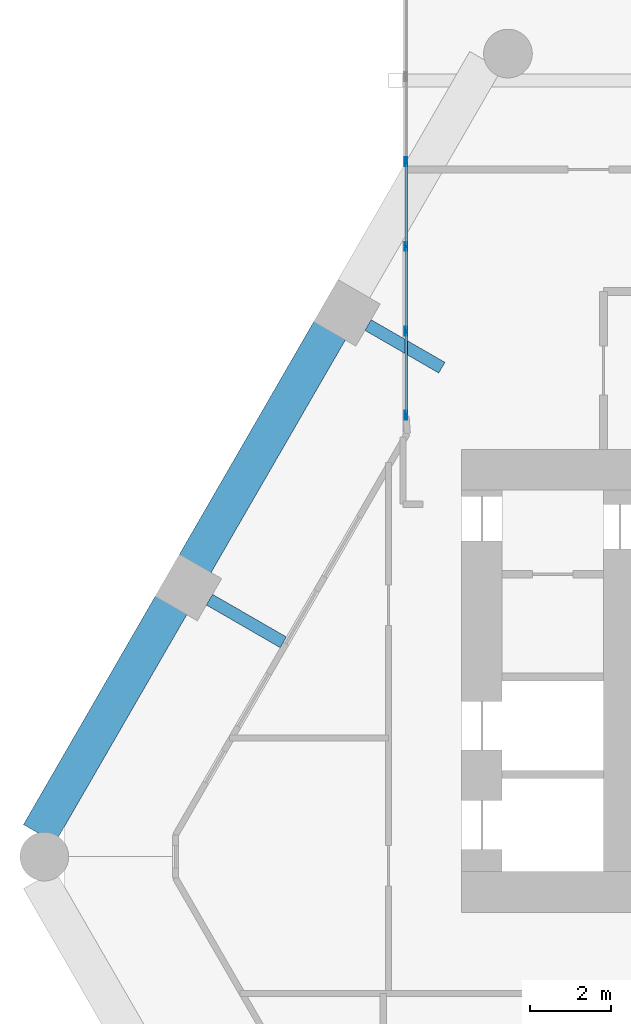
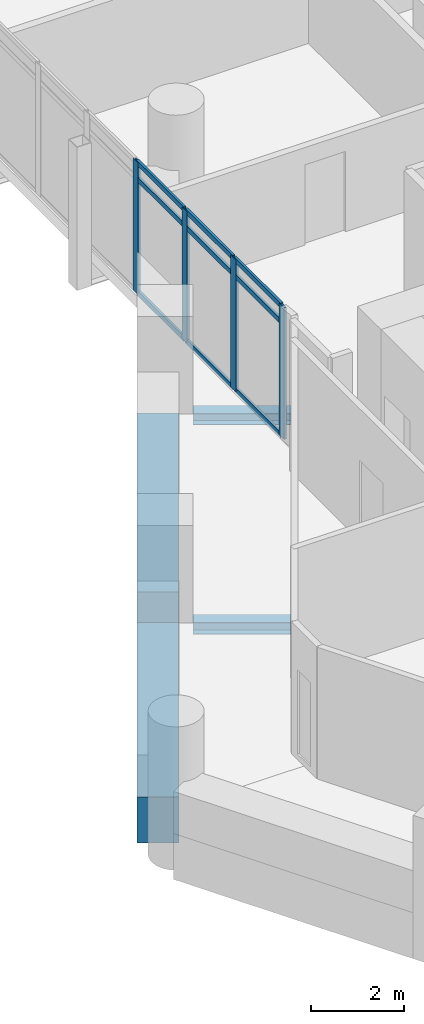
# One storey, part 12 of 28: 13 members, 4 beams, 1 element without a shape of its own.
"""IFC4 building model written with IfcOpenShell, lengths in metres."""

from ifc_helpers import new_model, si_unit, direction, frame, origin, origin_2d, place, context, subcontext, project, spatial, rectangle, hollow_rectangle, i_section, extrude, material, material_profile, profile_set, type_object, element, aggregate, save


model = new_model("IFC4")

# Units and contexts
model_context = context("Model", 3, precision=1e-05, world=origin(), true_north=direction((0.0, 1.0)))
body_context = subcontext(model_context, "Body", "Model", "MODEL_VIEW")
ifc_project = project(units=[si_unit("LENGTHUNIT", "METRE"), si_unit("AREAUNIT", "SQUARE_METRE"), si_unit("VOLUMEUNIT", "CUBIC_METRE"), si_unit("PLANEANGLEUNIT", "RADIAN"), si_unit("MASSUNIT", "GRAM", prefix="KILO")], contexts=[model_context])

# Site, building, storey
site_placement = place(None, origin())
site = spatial("IfcSite", under=ifc_project, at=site_placement, CompositionType="ELEMENT")
building_placement = place(site_placement, origin())
building = spatial("IfcBuilding", under=site, at=building_placement, Name="Ostrander Bayou Hotel Tower", CompositionType="ELEMENT")
storey_placement = place(building_placement, frame((0.0, 0.0, 100.5)))
storey = spatial("IfcBuildingStorey", under=building, at=storey_placement, Name="L25", CompositionType="ELEMENT", Elevation=100.5)

# Curtain wall, members
ifc_material_1 = material(Name="Aluminium and clear glass", Category="aluminium")
curtain_wall_type = type_object("IfcCurtainWallType", Name="CW-BAR glazed wall", PredefinedType="NOTDEFINED", material=ifc_material_1)
curtain_wall_placement = place(storey_placement, origin())
curtain_wall = element("IfcCurtainWall", 1, at=curtain_wall_placement, inside=storey, type_object=curtain_wall_type, Name="CW-BAR L25:SB2N:E", PredefinedType="NOTDEFINED")
ifc_material_2 = material(Name="Aluminium", Category="aluminium")
ifc_material_profile_1 = material_profile(ifc_material_2, hollow_rectangle(XDim=0.06005859375, YDim=0.219970703125, WallThickness=0.00390625, at=origin_2d()))
ifc_profile_set_1 = profile_set([ifc_material_profile_1], Name="Aluminium")
member_type_1 = type_object("IfcMemberType", Name="CW-BR mullion 60 x 220 mm", PredefinedType="MULLION", material=ifc_profile_set_1)
member_1_placement = place(storey_placement, frame((-13.3671875, 10.550048828125, 0.0), z_axis=(0.0, 0.0, 1.0), x_axis=(-1.0, 0.0, 0.0)))
member_1 = element("IfcMember", 2, at=member_1_placement, type_object=member_type_1, Name="CW-BAR mullion 1", PredefinedType="MULLION", context=body_context, shape_type="SweptSolid", body=[
    extrude(hollow_rectangle(XDim=0.06005859375, YDim=0.219970703125, WallThickness=0.00390625, at=origin_2d()), origin(), (0.0, 0.0, 1.0), 3.449951171875),
])
member_2_placement = place(storey_placement, frame((-13.3671875, 12.612548828125, 0.0), z_axis=(0.0, 0.0, 1.0), x_axis=(-1.0, 0.0, 0.0)))
member_2 = element("IfcMember", 3, at=member_2_placement, type_object=member_type_1, Name="CW-BAR mullion 2", PredefinedType="MULLION", context=body_context, shape_type="SweptSolid", body=[
    extrude(hollow_rectangle(XDim=0.06005859375, YDim=0.219970703125, WallThickness=0.00390625, at=origin_2d()), origin(), (0.0, 0.0, 1.0), 3.449951171875),
])
member_3_placement = place(storey_placement, frame((-13.3671875, 14.705078125, 0.0), z_axis=(0.0, 0.0, 1.0), x_axis=(-1.0, 0.0, 0.0)))
member_3 = element("IfcMember", 4, at=member_3_placement, type_object=member_type_1, Name="CW-BAR mullion 3", PredefinedType="MULLION", context=body_context, shape_type="SweptSolid", body=[
    extrude(hollow_rectangle(XDim=0.06005859375, YDim=0.219970703125, WallThickness=0.00390625, at=origin_2d()), origin(), (0.0, 0.0, 1.0), 3.449951171875),
])
member_4_placement = place(storey_placement, frame((-13.3671875, 16.797607421875, 0.0), z_axis=(0.0, 0.0, 1.0), x_axis=(-1.0, 0.0, 0.0)))
member_4 = element("IfcMember", 5, at=member_4_placement, type_object=member_type_1, Name="CW-BAR mullion 4", PredefinedType="MULLION", context=body_context, shape_type="SweptSolid", body=[
    extrude(hollow_rectangle(XDim=0.06005859375, YDim=0.219970703125, WallThickness=0.00390625, at=origin_2d()), origin(), (0.0, 0.0, 1.0), 3.449951171875),
])
ifc_material_3 = material(Name="Aluminium", Category="aluminium")
ifc_material_profile_2 = material_profile(ifc_material_3, hollow_rectangle(XDim=0.06005859375, YDim=0.1298828125, WallThickness=0.00390625, at=origin_2d()))
ifc_profile_set_2 = profile_set([ifc_material_profile_2], Name="Aluminium")
member_type_2 = type_object("IfcMemberType", Name="CW-BR transom 60 x 130 mm", PredefinedType="USERDEFINED", material=ifc_profile_set_2)
member_5_placement = place(storey_placement, frame((-13.3671875, 10.580078125, 0.030029296875), z_axis=(0.0, 1.0, 0.0), x_axis=(-1.0, 0.0, 0.0)))
member_5 = element("IfcMember", 6, at=member_5_placement, type_object=member_type_2, Name="CW-BAR transom 1.1", ObjectType="TRANSOM", PredefinedType="USERDEFINED", context=body_context, shape_type="SweptSolid", body=[
    extrude(hollow_rectangle(XDim=0.06005859375, YDim=0.1298828125, WallThickness=0.00390625, at=origin_2d()), origin(), (0.0, 0.0, 1.0), 2.00244140625),
])
member_6_placement = place(storey_placement, frame((-13.3671875, 10.580078125, 3.0), z_axis=(0.0, 1.0, 0.0), x_axis=(-1.0, 0.0, 0.0)))
member_6 = element("IfcMember", 7, at=member_6_placement, type_object=member_type_2, Name="CW-BAR transom 1.2", ObjectType="TRANSOM", PredefinedType="USERDEFINED", context=body_context, shape_type="SweptSolid", body=[
    extrude(hollow_rectangle(XDim=0.06005859375, YDim=0.1298828125, WallThickness=0.00390625, at=origin_2d()), origin(), (0.0, 0.0, 1.0), 2.00244140625),
])
member_7_placement = place(storey_placement, frame((-13.3671875, 10.580078125, 3.419921875), z_axis=(0.0, 1.0, 0.0), x_axis=(-1.0, 0.0, 0.0)))
member_7 = element("IfcMember", 8, at=member_7_placement, type_object=member_type_2, Name="CW-BAR transom 1.3", ObjectType="TRANSOM", PredefinedType="USERDEFINED", context=body_context, shape_type="SweptSolid", body=[
    extrude(hollow_rectangle(XDim=0.06005859375, YDim=0.1298828125, WallThickness=0.00390625, at=origin_2d()), origin(), (0.0, 0.0, 1.0), 2.00244140625),
])
member_8_placement = place(storey_placement, frame((-13.3671875, 12.642578125, 0.030029296875), z_axis=(0.0, 1.0, 0.0), x_axis=(-1.0, 0.0, 0.0)))
member_8 = element("IfcMember", 9, at=member_8_placement, type_object=member_type_2, Name="CW-BAR transom 2.1", ObjectType="TRANSOM", PredefinedType="USERDEFINED", context=body_context, shape_type="SweptSolid", body=[
    extrude(hollow_rectangle(XDim=0.06005859375, YDim=0.1298828125, WallThickness=0.00390625, at=origin_2d()), origin(), (0.0, 0.0, 1.0), 2.032470703125),
])
member_9_placement = place(storey_placement, frame((-13.3671875, 12.642578125, 3.0), z_axis=(0.0, 1.0, 0.0), x_axis=(-1.0, 0.0, 0.0)))
member_9 = element("IfcMember", 10, at=member_9_placement, type_object=member_type_2, Name="CW-BAR transom 2.2", ObjectType="TRANSOM", PredefinedType="USERDEFINED", context=body_context, shape_type="SweptSolid", body=[
    extrude(hollow_rectangle(XDim=0.06005859375, YDim=0.1298828125, WallThickness=0.00390625, at=origin_2d()), origin(), (0.0, 0.0, 1.0), 2.032470703125),
])
member_10_placement = place(storey_placement, frame((-13.3671875, 12.642578125, 3.419921875), z_axis=(0.0, 1.0, 0.0), x_axis=(-1.0, 0.0, 0.0)))
member_10 = element("IfcMember", 11, at=member_10_placement, type_object=member_type_2, Name="CW-BAR transom 2.3", ObjectType="TRANSOM", PredefinedType="USERDEFINED", context=body_context, shape_type="SweptSolid", body=[
    extrude(hollow_rectangle(XDim=0.06005859375, YDim=0.1298828125, WallThickness=0.00390625, at=origin_2d()), origin(), (0.0, 0.0, 1.0), 2.032470703125),
])
member_11_placement = place(storey_placement, frame((-13.3671875, 14.735107421875, 0.030029296875), z_axis=(0.0, 1.0, 0.0), x_axis=(-1.0, 0.0, 0.0)))
member_11 = element("IfcMember", 12, at=member_11_placement, type_object=member_type_2, Name="CW-BAR transom 3.1", ObjectType="TRANSOM", PredefinedType="USERDEFINED", context=body_context, shape_type="SweptSolid", body=[
    extrude(hollow_rectangle(XDim=0.06005859375, YDim=0.1298828125, WallThickness=0.00390625, at=origin_2d()), origin(), (0.0, 0.0, 1.0), 2.032470703125),
])
member_12_placement = place(storey_placement, frame((-13.3671875, 14.735107421875, 3.0), z_axis=(0.0, 1.0, 0.0), x_axis=(-1.0, 0.0, 0.0)))
member_12 = element("IfcMember", 13, at=member_12_placement, type_object=member_type_2, Name="CW-BAR transom 3.2", ObjectType="TRANSOM", PredefinedType="USERDEFINED", context=body_context, shape_type="SweptSolid", body=[
    extrude(hollow_rectangle(XDim=0.06005859375, YDim=0.1298828125, WallThickness=0.00390625, at=origin_2d()), origin(), (0.0, 0.0, 1.0), 2.032470703125),
])
member_13_placement = place(storey_placement, frame((-13.3671875, 14.735107421875, 3.419921875), z_axis=(0.0, 1.0, 0.0), x_axis=(-1.0, 0.0, 0.0)))
member_13 = element("IfcMember", 14, at=member_13_placement, type_object=member_type_2, Name="CW-BAR transom 3.3", ObjectType="TRANSOM", PredefinedType="USERDEFINED", context=body_context, shape_type="SweptSolid", body=[
    extrude(hollow_rectangle(XDim=0.06005859375, YDim=0.1298828125, WallThickness=0.00390625, at=origin_2d()), origin(), (0.0, 0.0, 1.0), 2.032470703125),
])
aggregate(curtain_wall, [member_1, member_2, member_3, member_4, member_5, member_6, member_7, member_8, member_9, member_10, member_11, member_12, member_13])

# Beams
ifc_material_4 = material(Name="Steel ASTM A992", Category="steel")
ifc_material_profile_3 = material_profile(ifc_material_4, i_section(OverallWidth=0.3046875, OverallDepth=0.307861328125, WebThickness=0.010009765625, FlangeThickness=0.015380859375, at=origin_2d()))
ifc_profile_set_3 = profile_set([ifc_material_profile_3], Name="Steel ASTM A992")
beam_type_1 = type_object("IfcBeamType", Name="LB1 loggia bracket W12x65", PredefinedType="BEAM", material=ifc_profile_set_3)
for number, where, z_axis, x_axis, name in (
    (15, (-14.30419921875, 12.769775390625, -0.453857421875), (0.866009402589, -0.500027713859, 0.0), (0.500027713859, 0.866009402589, 0.0), "LB1 L25 NW1"),
    (16, (-18.2109375, 6.0029296875, -0.453857421875), (0.866009402589, -0.500027713859, 0.0), (0.500027713859, 0.866009402589, 0.0), "LB1 L25 NW2"),
):
    element("IfcBeam", number, at=place(storey_placement, frame(where, z_axis=z_axis, x_axis=x_axis)), inside=storey, type_object=beam_type_1, Name=name, PredefinedType="BEAM", context=body_context, shape_type="SweptSolid", body=[
        extrude(i_section(OverallWidth=0.3046875, OverallDepth=0.307861328125, WebThickness=0.010009765625, FlangeThickness=0.015380859375, at=origin_2d()), origin(), (0.0, 0.0, 1.0), 2.10009765625),
    ])
ifc_material_5 = material(Name="Concrete f'c 70 MPa", Category="concrete")
ifc_material_profile_4 = material_profile(ifc_material_5, rectangle(XDim=0.89990234375, YDim=1.199951171875, at=origin_2d()))
ifc_profile_set_4 = profile_set([ifc_material_profile_4], Name="Concrete f'c 70 MPa")
beam_type_2 = type_object("IfcBeamType", Name="SP2 spandrel beam 900 x 1200 mm f'c 70 MPa", PredefinedType="SPANDREL", material=ifc_profile_set_4)
beam_1_placement = place(storey_placement, frame((-15.23876953125, 12.65087890625, -0.60009765625), z_axis=(-0.499999023957, -0.866025967302, 0.0), x_axis=(0.866025967302, -0.499999023957, 0.0)))
element("IfcBeam", 17, at=beam_1_placement, inside=storey, type_object=beam_type_2, Name="SP2 L25 NW-2", PredefinedType="SPANDREL", context=body_context, shape_type="SweptSolid", body=[
    extrude(rectangle(XDim=0.89990234375, YDim=1.199951171875, at=origin_2d()), origin(), (0.0, 0.0, 1.0), 6.67333984375),
])
beam_2_placement = place(storey_placement, frame((-19.1455078125, 5.884521484375, -0.60009765625), z_axis=(-0.500000042739, -0.866025379109, 0.0), x_axis=(0.866025379109, -0.500000042739, 0.0)))
element("IfcBeam", 18, at=beam_2_placement, inside=storey, type_object=beam_type_2, Name="SP2 L25 NW-3", PredefinedType="SPANDREL", context=body_context, shape_type="SweptSolid", body=[
    extrude(rectangle(XDim=0.89990234375, YDim=1.199951171875, at=origin_2d()), origin(), (0.0, 0.0, 1.0), 6.52197265625),
])

save(model, "model.ifc")
